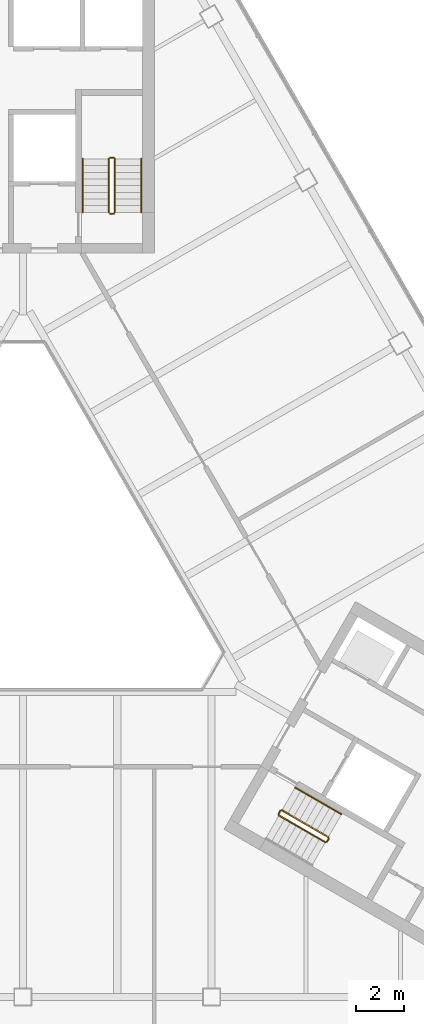
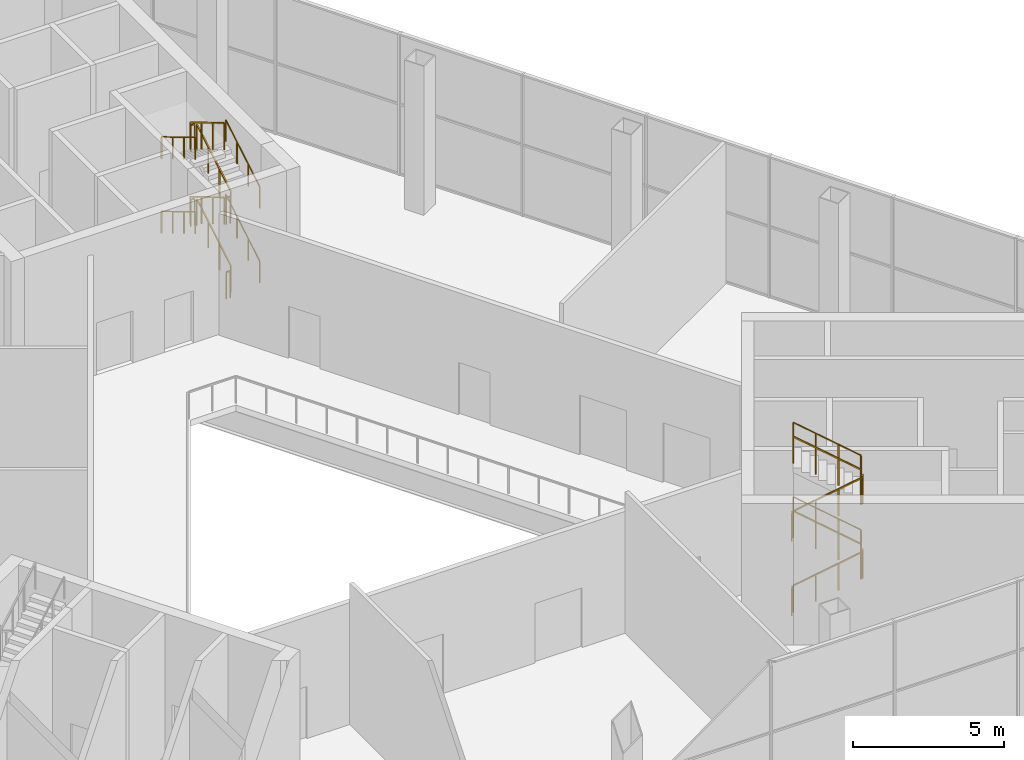
# One storey, part 13 of 14: 22 railings.
"""IFC4 building model written with IfcOpenShell, lengths in metres."""

import ifcopenshell
import ifcopenshell.guid

model = None  # the IFC model being written
_history = None  # IfcOwnerHistory: only IFC2X3 demands one
_inside = {}  # id of a spatial element -> (the spatial element, [elements in it])
_under = {}  # id of a project, library or spatial element -> (it, [spatial elements below it])
_declared = {}  # id of a project -> (the project, [libraries it declares])
_typed = {}  # id of a type object -> (the type object, [elements of that type])
_made_of = {}  # id of a material, layer set ... -> (it, [elements and type objects made of it])


def new_model(schema):
    """Start an empty IFC model of exactly this schema.

    Asked for "IFC4X3", IfcOpenShell would pick the latest addendum, in which some entities
    have other attributes; the version numbers below select the first issue.
    IFC2X3 requires an IfcOwnerHistory on every rooted entity: one is made here for all.
    """
    global model, _history
    if schema == "IFC4X3":
        model = ifcopenshell.file(schema_version=(4, 3, 0, 0))
    else:
        model = ifcopenshell.file(schema=schema)
    _inside.clear()
    _under.clear()
    _declared.clear()
    _typed.clear()
    _made_of.clear()
    _history = None
    if model.schema == "IFC2X3":
        org = make("IfcOrganization", Name="unknown")
        user = make(
            "IfcPersonAndOrganization",
            ThePerson=make("IfcPerson", FamilyName="unknown"),
            TheOrganization=org,
        )
        app = make(
            "IfcApplication",
            ApplicationDeveloper=org,
            Version="unknown",
            ApplicationFullName="unknown",
            ApplicationIdentifier="unknown",
        )
        _history = make(
            "IfcOwnerHistory",
            OwningUser=user,
            OwningApplication=app,
            ChangeAction="ADDED",
            CreationDate=0,
        )
    return model


def make(cls, **values):
    """One entity of the class cls with the attributes given. An attribute that is None is left unset."""
    return model.create_entity(
        cls, **{name: value for name, value in values.items() if value is not None}
    )


def rooted(cls, **values):
    """An entity with a GlobalId (a new one), such as an element, a storey or a relation."""
    return make(cls, GlobalId=ifcopenshell.guid.new(), OwnerHistory=_history, **values)


def si_unit(unit_type, name, prefix=None):
    """IfcSIUnit, for example si_unit("LENGTHUNIT", "METRE", prefix="MILLI")."""
    return make("IfcSIUnit", UnitType=unit_type, Prefix=prefix, Name=name)


def assignment(units):
    """IfcUnitAssignment: the units of a project."""
    return None if units is None else make("IfcUnitAssignment", Units=units)


def point(xyz):
    """IfcCartesianPoint."""
    return None if xyz is None else make("IfcCartesianPoint", Coordinates=xyz)


def direction(xyz):
    """IfcDirection."""
    return None if xyz is None else make("IfcDirection", DirectionRatios=xyz)


def frame(location, z_axis=None, x_axis=None):
    """IfcAxis2Placement3D, a coordinate frame: its origin and axes. An axis left out is left unset."""
    return make(
        "IfcAxis2Placement3D",
        Location=point(location),
        Axis=direction(z_axis),
        RefDirection=direction(x_axis),
    )


def frame_2d(location, x_axis=None):
    """IfcAxis2Placement2D, a coordinate frame in the plane: its origin and x axis."""
    return make(
        "IfcAxis2Placement2D", Location=point(location), RefDirection=direction(x_axis)
    )


def origin():
    """The frame at (0, 0, 0) with its axes left unset."""
    return frame((0.0, 0.0, 0.0))


def origin_2d():
    """The frame at (0, 0) in the plane with its x axis left unset."""
    return frame_2d((0.0, 0.0))


def place(relative_to, where):
    """IfcLocalPlacement: puts the frame where relative to a parent placement (None: the world)."""
    return make(
        "IfcLocalPlacement", PlacementRelTo=relative_to, RelativePlacement=where
    )


def context(
    kind, dimensions, precision=None, world=None, true_north=None, identifier=None
):
    """IfcGeometricRepresentationContext, for example the 3D "Model" context."""
    return make(
        "IfcGeometricRepresentationContext",
        ContextIdentifier=identifier,
        ContextType=kind,
        CoordinateSpaceDimension=dimensions,
        Precision=precision,
        WorldCoordinateSystem=world,
        TrueNorth=true_north,
    )


def subcontext(parent, identifier, kind, view, scale=None):
    """IfcGeometricRepresentationSubContext, for example "Body" below "Model"."""
    return make(
        "IfcGeometricRepresentationSubContext",
        ContextIdentifier=identifier,
        ContextType=kind,
        ParentContext=parent,
        TargetScale=scale,
        TargetView=view,
    )


def project(units=None, contexts=None):
    """IfcProject with its units and contexts."""
    return rooted(
        "IfcProject",
        Name="project",
        RepresentationContexts=contexts,
        UnitsInContext=assignment(units),
    )


def spatial(cls, under=None, at=None, **own):
    """A site, building, storey or space (cls), placed at a placement, below another one or the project."""
    s = rooted(cls, ObjectPlacement=at, **own)
    if under is not None:
        _under.setdefault(under.id(), (under, []))[1].append(s)
    return s


def profile(cls, at=None, kind="AREA", **sizes):
    """A parametric profile (cls). Its sizes go by their IFC names, for example OverallWidth=200.0."""
    return make(cls, ProfileType=kind, Position=at, **sizes)


def rectangle(**sizes):
    """IfcRectangleProfileDef."""
    return profile("IfcRectangleProfileDef", **sizes)


def circle(**sizes):
    """IfcCircleProfileDef."""
    return profile("IfcCircleProfileDef", **sizes)


def extrude(swept, where, along, depth):
    """IfcExtrudedAreaSolid: the profile swept, set in the frame where, extruded along a direction by depth."""
    return make(
        "IfcExtrudedAreaSolid",
        SweptArea=swept,
        Position=where,
        ExtrudedDirection=direction(along),
        Depth=depth,
    )


def shape(context_of_items, identifier, shape_type, items):
    """IfcShapeRepresentation: the items that make up one representation, for example the "Body"."""
    return make(
        "IfcShapeRepresentation",
        ContextOfItems=context_of_items,
        RepresentationIdentifier=identifier,
        RepresentationType=shape_type,
        Items=items,
    )


def material(Name=None, Category=None):
    """IfcMaterial."""
    return make("IfcMaterial", Name=Name, Category=Category)


def made_of(thing, what):
    """Note that an element or type object is made of a material, layer set ...; save() writes the relation."""
    if what is not None:
        _made_of.setdefault(what.id(), (what, []))[1].append(thing)
    return thing


def type_object(cls, material=None, **own):
    """A type object (cls), such as IfcWallType, which elements share."""
    return made_of(rooted(cls, **own), material)


def element(
    cls,
    number,
    at=None,
    inside=None,
    cuts=None,
    type_object=None,
    material=None,
    context=None,
    identifier="Body",
    shape_type=None,
    held_by="IfcProductDefinitionShape",
    body=None,
    shapes=None,
    **own,
):
    """One element of the class cls, such as IfcWall. Its Tag is "e" and its number.

    at: its placement. inside: the storey or other place that contains it. cuts: it is an
    opening in that element (IfcRelVoidsElement). A single representation is given by context,
    identifier, shape_type and body (its items); several are given by shapes. held_by: the class
    of the entity that holds the representations. save() writes the other relations.
    """
    e = rooted(cls, Tag="e%d" % number, ObjectPlacement=at, **own)
    if body is not None:
        shapes = [shape(context, identifier, shape_type, body)]
    if shapes is not None:
        e.Representation = make(held_by, Representations=shapes)
    if inside is not None:
        _inside.setdefault(inside.id(), (inside, []))[1].append(e)
    if cuts is not None:
        rooted(
            "IfcRelVoidsElement", RelatingBuildingElement=cuts, RelatedOpeningElement=e
        )
    if type_object is not None:
        _typed.setdefault(type_object.id(), (type_object, []))[1].append(e)
    return made_of(e, material)


def aggregate(whole, parts):
    """IfcRelAggregates: a whole, such as a stair, and the parts it consists of."""
    return rooted("IfcRelAggregates", RelatingObject=whole, RelatedObjects=parts)


def save(model, path):
    """Write the relations noted so far, then the file.

    IfcRelAggregates (storeys below a building ...), IfcRelContainedInSpatialStructure (elements
    in a storey), IfcRelDefinesByType, IfcRelAssociatesMaterial and IfcRelDeclares: one each for
    every whole, place, type object, material and project.
    """
    for whole, parts in _under.values():
        aggregate(whole, parts)
    for where, things in _inside.values():
        rooted(
            "IfcRelContainedInSpatialStructure",
            RelatedElements=things,
            RelatingStructure=where,
        )
    for kind, things in _typed.values():
        rooted("IfcRelDefinesByType", RelatedObjects=things, RelatingType=kind)
    for what, things in _made_of.values():
        rooted("IfcRelAssociatesMaterial", RelatedObjects=things, RelatingMaterial=what)
    for by, libraries in _declared.values():
        rooted("IfcRelDeclares", RelatingContext=by, RelatedDefinitions=libraries)
    model.write(path)


model = new_model("IFC4")

# Units and contexts
model_context = context("Model", 3, precision=1e-05, world=origin(), true_north=direction((0.0, 1.0)))
body_context = subcontext(model_context, "Body", "Model", "MODEL_VIEW")
ifc_project = project(units=[si_unit("LENGTHUNIT", "METRE"), si_unit("AREAUNIT", "SQUARE_METRE"), si_unit("VOLUMEUNIT", "CUBIC_METRE"), si_unit("PLANEANGLEUNIT", "RADIAN"), si_unit("MASSUNIT", "GRAM", prefix="KILO")], contexts=[model_context])

# Site, building, storey
site_placement = place(None, origin())
site = spatial("IfcSite", under=ifc_project, at=site_placement, CompositionType="ELEMENT")
building_placement = place(site_placement, origin())
building = spatial("IfcBuilding", under=site, at=building_placement, Name="Apuvela Tower Hotel", CompositionType="ELEMENT")
storey_placement = place(building_placement, frame((0.0, 0.0, 231.699951171875)))
storey = spatial("IfcBuildingStorey", under=building, at=storey_placement, Name="L57", CompositionType="ELEMENT", Elevation=231.699951171875)

# Railings
ifc_material_1 = material(Name="Steel S275 balustrade", Category="steel")
railing_type_1 = type_object("IfcRailingType", Name="COR-GUARD-1100", PredefinedType="GUARDRAIL", material=ifc_material_1)
railing_1_placement = place(storey_placement, frame((3.85009765625, 14.60009765625, 0.166748046875)))
element("IfcRailing", 1, at=railing_1_placement, inside=storey, type_object=railing_type_1, Name="L57 ST1 stair guard 1", PredefinedType="GUARDRAIL", context=body_context, shape_type="SweptSolid", body=[
    extrude(rectangle(XDim=0.048095703125, YDim=0.048095703125, at=origin_2d()), frame((0.0, 0.0, 1.076171875), z_axis=(0.0, 0.859305625298, 0.511462454469), x_axis=(-1.0, 0.0, 0.0)), (0.0, 0.0, 1.0), 2.606689453125),
    extrude(rectangle(XDim=0.0419921875, YDim=0.0419921875, at=origin_2d()), origin(), (0.0, 0.0, 1.0), 1.052001953125),
    extrude(rectangle(XDim=0.0419921875, YDim=0.0419921875, at=origin_2d()), frame((0.0, 0.74658203125, 0.4443359375)), (0.0, 0.0, 1.0), 1.052001953125),
    extrude(rectangle(XDim=0.0419921875, YDim=0.0419921875, at=origin_2d()), frame((0.0, 1.493408203125, 0.888916015625)), (0.0, 0.0, 1.0), 1.052001953125),
    extrude(rectangle(XDim=0.0419921875, YDim=0.0419921875, at=origin_2d()), frame((0.0, 2.239990234375, 1.333251953125)), (0.0, 0.0, 1.0), 1.052001953125),
])
railing_2_placement = place(storey_placement, frame((3.800048828125, 16.889892578125, 1.5)))
element("IfcRailing", 2, at=railing_2_placement, inside=storey, type_object=railing_type_1, Name="L57 ST1 stair guard 2", PredefinedType="GUARDRAIL", context=body_context, shape_type="SweptSolid", body=[
    extrude(rectangle(XDim=0.048095703125, YDim=0.048095703125, at=origin_2d()), frame((0.0, 0.0, 1.076171875), z_axis=(-1.0, 0.0, 0.0), x_axis=(0.0, -1.0, 0.0)), (0.0, 0.0, 1.0), 0.150146484375),
    extrude(rectangle(XDim=0.0419921875, YDim=0.0419921875, at=origin_2d()), origin(), (0.0, 0.0, 1.0), 1.052001953125),
    extrude(rectangle(XDim=0.0419921875, YDim=0.0419921875, at=origin_2d()), frame((-0.150146484375, 0.0, 0.0)), (0.0, 0.0, 1.0), 1.052001953125),
])
railing_3_placement = place(storey_placement, frame((3.60009765625, 16.840087890625, 1.666748046875)))
element("IfcRailing", 3, at=railing_3_placement, inside=storey, type_object=railing_type_1, Name="L57 ST1 stair guard 3", PredefinedType="GUARDRAIL", context=body_context, shape_type="SweptSolid", body=[
    extrude(rectangle(XDim=0.048095703125, YDim=0.048095703125, at=origin_2d()), frame((0.0, 0.0, 1.076171875), z_axis=(0.0, -0.859305625298, 0.511462454469), x_axis=(1.0, 0.0, 0.0)), (0.0, 0.0, 1.0), 2.606689453125),
    extrude(rectangle(XDim=0.0419921875, YDim=0.0419921875, at=origin_2d()), origin(), (0.0, 0.0, 1.0), 1.052001953125),
    extrude(rectangle(XDim=0.0419921875, YDim=0.0419921875, at=origin_2d()), frame((0.0, -0.74658203125, 0.4443359375)), (0.0, 0.0, 1.0), 1.052001953125),
    extrude(rectangle(XDim=0.0419921875, YDim=0.0419921875, at=origin_2d()), frame((0.0, -1.493408203125, 0.888916015625)), (0.0, 0.0, 1.0), 1.052001953125),
    extrude(rectangle(XDim=0.0419921875, YDim=0.0419921875, at=origin_2d()), frame((0.0, -2.239990234375, 1.333251953125)), (0.0, 0.0, 1.0), 1.052001953125),
])
railing_4_placement = place(storey_placement, frame((3.800048828125, 14.550048828125, 3.0)))
element("IfcRailing", 4, at=railing_4_placement, inside=storey, type_object=railing_type_1, Name="L57 ST1 stair guard 4", PredefinedType="GUARDRAIL", context=body_context, shape_type="SweptSolid", body=[
    extrude(rectangle(XDim=0.048095703125, YDim=0.048095703125, at=origin_2d()), frame((0.0, 0.0, 1.076171875), z_axis=(-1.0, 0.0, 0.0), x_axis=(0.0, -1.0, 0.0)), (0.0, 0.0, 1.0), 0.150146484375),
    extrude(rectangle(XDim=0.0419921875, YDim=0.0419921875, at=origin_2d()), origin(), (0.0, 0.0, 1.0), 1.052001953125),
    extrude(rectangle(XDim=0.0419921875, YDim=0.0419921875, at=origin_2d()), frame((-0.150146484375, 0.0, 0.0)), (0.0, 0.0, 1.0), 1.052001953125),
])
railing_5_placement = place(storey_placement, frame((3.85009765625, 14.60009765625, 3.166748046875)))
element("IfcRailing", 5, at=railing_5_placement, inside=storey, type_object=railing_type_1, Name="L57 ST1 stair guard 5", PredefinedType="GUARDRAIL", context=body_context, shape_type="SweptSolid", body=[
    extrude(rectangle(XDim=0.048095703125, YDim=0.048095703125, at=origin_2d()), frame((0.0, 0.0, 1.076171875), z_axis=(0.0, 0.859305625298, 0.511462454469), x_axis=(-1.0, 0.0, 0.0)), (0.0, 0.0, 1.0), 2.606689453125),
    extrude(rectangle(XDim=0.0419921875, YDim=0.0419921875, at=origin_2d()), origin(), (0.0, 0.0, 1.0), 1.052001953125),
    extrude(rectangle(XDim=0.0419921875, YDim=0.0419921875, at=origin_2d()), frame((0.0, 0.74658203125, 0.4443359375)), (0.0, 0.0, 1.0), 1.052001953125),
    extrude(rectangle(XDim=0.0419921875, YDim=0.0419921875, at=origin_2d()), frame((0.0, 1.493408203125, 0.888916015625)), (0.0, 0.0, 1.0), 1.052001953125),
    extrude(rectangle(XDim=0.0419921875, YDim=0.0419921875, at=origin_2d()), frame((0.0, 2.239990234375, 1.333251953125)), (0.0, 0.0, 1.0), 1.052001953125),
])
railing_6_placement = place(storey_placement, frame((3.800048828125, 16.889892578125, 4.5)))
element("IfcRailing", 6, at=railing_6_placement, inside=storey, type_object=railing_type_1, Name="L57 ST1 stair guard 6", PredefinedType="GUARDRAIL", context=body_context, shape_type="SweptSolid", body=[
    extrude(rectangle(XDim=0.048095703125, YDim=0.048095703125, at=origin_2d()), frame((0.0, 0.0, 1.076171875), z_axis=(-1.0, 0.0, 0.0), x_axis=(0.0, -1.0, 0.0)), (0.0, 0.0, 1.0), 0.150146484375),
    extrude(rectangle(XDim=0.0419921875, YDim=0.0419921875, at=origin_2d()), origin(), (0.0, 0.0, 1.0), 1.052001953125),
    extrude(rectangle(XDim=0.0419921875, YDim=0.0419921875, at=origin_2d()), frame((-0.150146484375, 0.0, 0.0)), (0.0, 0.0, 1.0), 1.052001953125),
])
railing_7_placement = place(storey_placement, frame((3.60009765625, 16.840087890625, 4.666748046875)))
element("IfcRailing", 7, at=railing_7_placement, inside=storey, type_object=railing_type_1, Name="L57 ST1 stair guard 7", PredefinedType="GUARDRAIL", context=body_context, shape_type="SweptSolid", body=[
    extrude(rectangle(XDim=0.048095703125, YDim=0.048095703125, at=origin_2d()), frame((0.0, 0.0, 1.076171875), z_axis=(0.0, -0.859305625298, 0.511462454469), x_axis=(1.0, 0.0, 0.0)), (0.0, 0.0, 1.0), 2.606689453125),
    extrude(rectangle(XDim=0.0419921875, YDim=0.0419921875, at=origin_2d()), origin(), (0.0, 0.0, 1.0), 1.052001953125),
    extrude(rectangle(XDim=0.0419921875, YDim=0.0419921875, at=origin_2d()), frame((0.0, -0.74658203125, 0.4443359375)), (0.0, 0.0, 1.0), 1.052001953125),
    extrude(rectangle(XDim=0.0419921875, YDim=0.0419921875, at=origin_2d()), frame((0.0, -1.493408203125, 0.888916015625)), (0.0, 0.0, 1.0), 1.052001953125),
    extrude(rectangle(XDim=0.0419921875, YDim=0.0419921875, at=origin_2d()), frame((0.0, -2.239990234375, 1.333251953125)), (0.0, 0.0, 1.0), 1.052001953125),
])
railing_8_placement = place(storey_placement, frame((3.800048828125, 14.550048828125, 0.0)))
element("IfcRailing", 8, at=railing_8_placement, inside=storey, type_object=railing_type_1, Name="L57 ST1 stair guard 8", PredefinedType="GUARDRAIL", context=body_context, shape_type="SweptSolid", body=[
    extrude(rectangle(XDim=0.048095703125, YDim=0.048095703125, at=origin_2d()), frame((0.0, 0.0, 1.076171875), z_axis=(-1.0, 0.0, 0.0), x_axis=(0.0, -1.0, 0.0)), (0.0, 0.0, 1.0), 0.150146484375),
    extrude(rectangle(XDim=0.0419921875, YDim=0.0419921875, at=origin_2d()), origin(), (0.0, 0.0, 1.0), 1.052001953125),
    extrude(rectangle(XDim=0.0419921875, YDim=0.0419921875, at=origin_2d()), frame((-0.150146484375, 0.0, 0.0)), (0.0, 0.0, 1.0), 1.052001953125),
])
railing_9_placement = place(storey_placement, frame((10.718994140625, -10.63427734375, 0.166748046875)))
element("IfcRailing", 9, at=railing_9_placement, inside=storey, type_object=railing_type_1, Name="L57 ST3 stair guard 1", PredefinedType="GUARDRAIL", context=body_context, shape_type="SweptSolid", body=[
    extrude(rectangle(XDim=0.048095703125, YDim=0.048095703125, at=origin_2d()), frame((0.0, 0.0, 1.076171875), z_axis=(0.744204538217, -0.429608131991, 0.51146501173), x_axis=(0.49994888933, 0.866054910533, 0.0)), (0.0, 0.0, 1.0), 2.606689453125),
    extrude(rectangle(XDim=0.0419921875, YDim=0.0419921875, at=origin_2d()), origin(), (0.0, 0.0, 1.0), 1.052001953125),
    extrude(rectangle(XDim=0.0419921875, YDim=0.0419921875, at=origin_2d()), frame((0.646728515625, -0.373291015625, 0.4443359375)), (0.0, 0.0, 1.0), 1.052001953125),
    extrude(rectangle(XDim=0.0419921875, YDim=0.0419921875, at=origin_2d()), frame((1.293212890625, -0.74658203125, 0.888916015625)), (0.0, 0.0, 1.0), 1.052001953125),
    extrude(rectangle(XDim=0.0419921875, YDim=0.0419921875, at=origin_2d()), frame((1.93994140625, -1.119873046875, 1.333251953125)), (0.0, 0.0, 1.0), 1.052001953125),
])
railing_10_placement = place(storey_placement, frame((12.72705078125, -11.73583984375, 1.5)))
element("IfcRailing", 10, at=railing_10_placement, inside=storey, type_object=railing_type_1, Name="L57 ST3 stair guard 2", PredefinedType="GUARDRAIL", context=body_context, shape_type="SweptSolid", body=[
    extrude(rectangle(XDim=0.048095703125, YDim=0.048095703125, at=origin_2d()), frame((0.0, 0.0, 1.076171875), z_axis=(0.501036270542, 0.865426285481, 0.0), x_axis=(-0.865426285481, 0.501036270542, 0.0)), (0.0, 0.0, 1.0), 0.150146484375),
    extrude(rectangle(XDim=0.0419921875, YDim=0.0419921875, at=origin_2d()), origin(), (0.0, 0.0, 1.0), 1.052001953125),
    extrude(rectangle(XDim=0.0419921875, YDim=0.0419921875, at=origin_2d()), frame((0.0751953125, 0.1298828125, 0.0)), (0.0, 0.0, 1.0), 1.052001953125),
])
railing_11_placement = place(storey_placement, frame((12.783935546875, -11.53759765625, 1.666748046875)))
element("IfcRailing", 11, at=railing_11_placement, inside=storey, type_object=railing_type_1, Name="L57 ST3 stair guard 3", PredefinedType="GUARDRAIL", context=body_context, shape_type="SweptSolid", body=[
    extrude(rectangle(XDim=0.048095703125, YDim=0.048095703125, at=origin_2d()), frame((0.0, 0.0, 1.076171875), z_axis=(-0.744204538217, 0.429608131991, 0.51146501173), x_axis=(-0.49994888933, -0.866054910533, 0.0)), (0.0, 0.0, 1.0), 2.606689453125),
    extrude(rectangle(XDim=0.0419921875, YDim=0.0419921875, at=origin_2d()), origin(), (0.0, 0.0, 1.0), 1.052001953125),
    extrude(rectangle(XDim=0.0419921875, YDim=0.0419921875, at=origin_2d()), frame((-0.646728515625, 0.373291015625, 0.4443359375)), (0.0, 0.0, 1.0), 1.052001953125),
    extrude(rectangle(XDim=0.0419921875, YDim=0.0419921875, at=origin_2d()), frame((-1.293212890625, 0.74658203125, 0.888916015625)), (0.0, 0.0, 1.0), 1.052001953125),
    extrude(rectangle(XDim=0.0419921875, YDim=0.0419921875, at=origin_2d()), frame((-1.93994140625, 1.119873046875, 1.333251953125)), (0.0, 0.0, 1.0), 1.052001953125),
])
railing_12_placement = place(storey_placement, frame((10.70068359375, -10.56591796875, 3.0)))
element("IfcRailing", 12, at=railing_12_placement, inside=storey, type_object=railing_type_1, Name="L57 ST3 stair guard 4", PredefinedType="GUARDRAIL", context=body_context, shape_type="SweptSolid", body=[
    extrude(rectangle(XDim=0.048095703125, YDim=0.048095703125, at=origin_2d()), frame((0.0, 0.0, 1.076171875), z_axis=(0.499816412211, 0.866131372301, 0.0), x_axis=(-0.866131372301, 0.499816412211, 0.0)), (0.0, 0.0, 1.0), 0.14990234375),
    extrude(rectangle(XDim=0.0419921875, YDim=0.0419921875, at=origin_2d()), origin(), (0.0, 0.0, 1.0), 1.052001953125),
    extrude(rectangle(XDim=0.0419921875, YDim=0.0419921875, at=origin_2d()), frame((0.074951171875, 0.1298828125, 0.0)), (0.0, 0.0, 1.0), 1.052001953125),
])
railing_13_placement = place(storey_placement, frame((10.718994140625, -10.63427734375, 3.166748046875)))
element("IfcRailing", 13, at=railing_13_placement, inside=storey, type_object=railing_type_1, Name="L57 ST3 stair guard 5", PredefinedType="GUARDRAIL", context=body_context, shape_type="SweptSolid", body=[
    extrude(rectangle(XDim=0.048095703125, YDim=0.048095703125, at=origin_2d()), frame((0.0, 0.0, 1.076171875), z_axis=(0.744204538217, -0.429608131991, 0.51146501173), x_axis=(0.49994888933, 0.866054910533, 0.0)), (0.0, 0.0, 1.0), 2.606689453125),
    extrude(rectangle(XDim=0.0419921875, YDim=0.0419921875, at=origin_2d()), origin(), (0.0, 0.0, 1.0), 1.052001953125),
    extrude(rectangle(XDim=0.0419921875, YDim=0.0419921875, at=origin_2d()), frame((0.646728515625, -0.373291015625, 0.4443359375)), (0.0, 0.0, 1.0), 1.052001953125),
    extrude(rectangle(XDim=0.0419921875, YDim=0.0419921875, at=origin_2d()), frame((1.293212890625, -0.74658203125, 0.888916015625)), (0.0, 0.0, 1.0), 1.052001953125),
    extrude(rectangle(XDim=0.0419921875, YDim=0.0419921875, at=origin_2d()), frame((1.93994140625, -1.119873046875, 1.333251953125)), (0.0, 0.0, 1.0), 1.052001953125),
])
railing_14_placement = place(storey_placement, frame((12.72705078125, -11.73583984375, 4.5)))
element("IfcRailing", 14, at=railing_14_placement, inside=storey, type_object=railing_type_1, Name="L57 ST3 stair guard 6", PredefinedType="GUARDRAIL", context=body_context, shape_type="SweptSolid", body=[
    extrude(rectangle(XDim=0.048095703125, YDim=0.048095703125, at=origin_2d()), frame((0.0, 0.0, 1.076171875), z_axis=(0.501036270542, 0.865426285481, 0.0), x_axis=(-0.865426285481, 0.501036270542, 0.0)), (0.0, 0.0, 1.0), 0.150146484375),
    extrude(rectangle(XDim=0.0419921875, YDim=0.0419921875, at=origin_2d()), origin(), (0.0, 0.0, 1.0), 1.052001953125),
    extrude(rectangle(XDim=0.0419921875, YDim=0.0419921875, at=origin_2d()), frame((0.0751953125, 0.1298828125, 0.0)), (0.0, 0.0, 1.0), 1.052001953125),
])
railing_15_placement = place(storey_placement, frame((12.783935546875, -11.53759765625, 4.666748046875)))
element("IfcRailing", 15, at=railing_15_placement, inside=storey, type_object=railing_type_1, Name="L57 ST3 stair guard 7", PredefinedType="GUARDRAIL", context=body_context, shape_type="SweptSolid", body=[
    extrude(rectangle(XDim=0.048095703125, YDim=0.048095703125, at=origin_2d()), frame((0.0, 0.0, 1.076171875), z_axis=(-0.744204538217, 0.429608131991, 0.51146501173), x_axis=(-0.49994888933, -0.866054910533, 0.0)), (0.0, 0.0, 1.0), 2.606689453125),
    extrude(rectangle(XDim=0.0419921875, YDim=0.0419921875, at=origin_2d()), origin(), (0.0, 0.0, 1.0), 1.052001953125),
    extrude(rectangle(XDim=0.0419921875, YDim=0.0419921875, at=origin_2d()), frame((-0.646728515625, 0.373291015625, 0.4443359375)), (0.0, 0.0, 1.0), 1.052001953125),
    extrude(rectangle(XDim=0.0419921875, YDim=0.0419921875, at=origin_2d()), frame((-1.293212890625, 0.74658203125, 0.888916015625)), (0.0, 0.0, 1.0), 1.052001953125),
    extrude(rectangle(XDim=0.0419921875, YDim=0.0419921875, at=origin_2d()), frame((-1.93994140625, 1.119873046875, 1.333251953125)), (0.0, 0.0, 1.0), 1.052001953125),
])
railing_16_placement = place(storey_placement, frame((10.70068359375, -10.56591796875, 0.0)))
element("IfcRailing", 16, at=railing_16_placement, inside=storey, type_object=railing_type_1, Name="L57 ST3 stair guard 8", PredefinedType="GUARDRAIL", context=body_context, shape_type="SweptSolid", body=[
    extrude(rectangle(XDim=0.048095703125, YDim=0.048095703125, at=origin_2d()), frame((0.0, 0.0, 1.076171875), z_axis=(0.499816412211, 0.866131372301, 0.0), x_axis=(-0.866131372301, 0.499816412211, 0.0)), (0.0, 0.0, 1.0), 0.14990234375),
    extrude(rectangle(XDim=0.0419921875, YDim=0.0419921875, at=origin_2d()), origin(), (0.0, 0.0, 1.0), 1.052001953125),
    extrude(rectangle(XDim=0.0419921875, YDim=0.0419921875, at=origin_2d()), frame((0.074951171875, 0.1298828125, 0.0)), (0.0, 0.0, 1.0), 1.052001953125),
])
ifc_material_2 = material(Name="Stainless steel 316 handrail", Category="steel")
railing_type_2 = type_object("IfcRailingType", Name="COR-HANDRAIL-900", PredefinedType="HANDRAIL", material=ifc_material_2)
railing_17_placement = place(storey_placement, frame((4.949951171875, 14.60009765625, 0.166748046875)))
element("IfcRailing", 17, at=railing_17_placement, inside=storey, type_object=railing_type_2, Name="L57 ST1 stair handrail 1", PredefinedType="HANDRAIL", context=body_context, shape_type="SweptSolid", body=[
    extrude(circle(Radius=0.02392578125, at=origin_2d()), frame((0.0, 0.0, 0.8759765625), z_axis=(0.0, 0.859305625298, 0.511462454469), x_axis=(-1.0, 0.0, 0.0)), (0.0, 0.0, 1.0), 2.606689453125),
    extrude(rectangle(XDim=0.0419921875, YDim=0.0419921875, at=origin_2d()), origin(), (0.0, 0.0, 1.0), 0.851806640625),
    extrude(rectangle(XDim=0.0419921875, YDim=0.0419921875, at=origin_2d()), frame((0.0, 0.74658203125, 0.4443359375)), (0.0, 0.0, 1.0), 0.851806640625),
    extrude(rectangle(XDim=0.0419921875, YDim=0.0419921875, at=origin_2d()), frame((0.0, 1.493408203125, 0.888916015625)), (0.0, 0.0, 1.0), 0.851806640625),
    extrude(rectangle(XDim=0.0419921875, YDim=0.0419921875, at=origin_2d()), frame((0.0, 2.239990234375, 1.333251953125)), (0.0, 0.0, 1.0), 0.851806640625),
])
railing_18_placement = place(storey_placement, frame((2.5, 16.840087890625, 1.666748046875)))
element("IfcRailing", 18, at=railing_18_placement, inside=storey, type_object=railing_type_2, Name="L57 ST1 stair handrail 2", PredefinedType="HANDRAIL", context=body_context, shape_type="SweptSolid", body=[
    extrude(circle(Radius=0.02392578125, at=origin_2d()), frame((0.0, 0.0, 0.8759765625), z_axis=(0.0, -0.859305625298, 0.511462454469), x_axis=(1.0, 0.0, 0.0)), (0.0, 0.0, 1.0), 2.606689453125),
    extrude(rectangle(XDim=0.0419921875, YDim=0.0419921875, at=origin_2d()), origin(), (0.0, 0.0, 1.0), 0.851806640625),
    extrude(rectangle(XDim=0.0419921875, YDim=0.0419921875, at=origin_2d()), frame((0.0, -0.74658203125, 0.4443359375)), (0.0, 0.0, 1.0), 0.851806640625),
    extrude(rectangle(XDim=0.0419921875, YDim=0.0419921875, at=origin_2d()), frame((0.0, -1.493408203125, 0.888916015625)), (0.0, 0.0, 1.0), 0.851806640625),
    extrude(rectangle(XDim=0.0419921875, YDim=0.0419921875, at=origin_2d()), frame((0.0, -2.239990234375, 1.333251953125)), (0.0, 0.0, 1.0), 0.851806640625),
])
railing_19_placement = place(storey_placement, frame((4.949951171875, 14.60009765625, 3.166748046875)))
element("IfcRailing", 19, at=railing_19_placement, inside=storey, type_object=railing_type_2, Name="L57 ST1 stair handrail 3", PredefinedType="HANDRAIL", context=body_context, shape_type="SweptSolid", body=[
    extrude(circle(Radius=0.02392578125, at=origin_2d()), frame((0.0, 0.0, 0.8759765625), z_axis=(0.0, 0.859305625298, 0.511462454469), x_axis=(-1.0, 0.0, 0.0)), (0.0, 0.0, 1.0), 2.606689453125),
    extrude(rectangle(XDim=0.0419921875, YDim=0.0419921875, at=origin_2d()), origin(), (0.0, 0.0, 1.0), 0.851806640625),
    extrude(rectangle(XDim=0.0419921875, YDim=0.0419921875, at=origin_2d()), frame((0.0, 0.74658203125, 0.4443359375)), (0.0, 0.0, 1.0), 0.851806640625),
    extrude(rectangle(XDim=0.0419921875, YDim=0.0419921875, at=origin_2d()), frame((0.0, 1.493408203125, 0.888916015625)), (0.0, 0.0, 1.0), 0.851806640625),
    extrude(rectangle(XDim=0.0419921875, YDim=0.0419921875, at=origin_2d()), frame((0.0, 2.239990234375, 1.333251953125)), (0.0, 0.0, 1.0), 0.851806640625),
])
railing_20_placement = place(storey_placement, frame((2.5, 16.840087890625, 4.666748046875)))
element("IfcRailing", 20, at=railing_20_placement, inside=storey, type_object=railing_type_2, Name="L57 ST1 stair handrail 4", PredefinedType="HANDRAIL", context=body_context, shape_type="SweptSolid", body=[
    extrude(circle(Radius=0.02392578125, at=origin_2d()), frame((0.0, 0.0, 0.8759765625), z_axis=(0.0, -0.859305625298, 0.511462454469), x_axis=(1.0, 0.0, 0.0)), (0.0, 0.0, 1.0), 2.606689453125),
    extrude(rectangle(XDim=0.0419921875, YDim=0.0419921875, at=origin_2d()), origin(), (0.0, 0.0, 1.0), 0.851806640625),
    extrude(rectangle(XDim=0.0419921875, YDim=0.0419921875, at=origin_2d()), frame((0.0, -0.74658203125, 0.4443359375)), (0.0, 0.0, 1.0), 0.851806640625),
    extrude(rectangle(XDim=0.0419921875, YDim=0.0419921875, at=origin_2d()), frame((0.0, -1.493408203125, 0.888916015625)), (0.0, 0.0, 1.0), 0.851806640625),
    extrude(rectangle(XDim=0.0419921875, YDim=0.0419921875, at=origin_2d()), frame((0.0, -2.239990234375, 1.333251953125)), (0.0, 0.0, 1.0), 0.851806640625),
])
for number, where, name in (
    (21, (13.333984375, -10.5849609375, 1.666748046875), "L57 ST3 stair handrail 2"),
    (22, (13.333984375, -10.5849609375, 4.666748046875), "L57 ST3 stair handrail 4"),
):
    element("IfcRailing", number, at=place(storey_placement, frame(where)), inside=storey, type_object=railing_type_2, Name=name, PredefinedType="HANDRAIL", context=body_context, shape_type="SweptSolid", body=[
        extrude(circle(Radius=0.02392578125, at=origin_2d()), frame((0.0, 0.0, 0.8759765625), z_axis=(-0.744204538217, 0.429608131991, 0.51146501173), x_axis=(-0.49994888933, -0.866054910533, 0.0)), (0.0, 0.0, 1.0), 2.606689453125),
        extrude(rectangle(XDim=0.0419921875, YDim=0.0419921875, at=origin_2d()), origin(), (0.0, 0.0, 1.0), 0.851806640625),
        extrude(rectangle(XDim=0.0419921875, YDim=0.0419921875, at=origin_2d()), frame((-0.646728515625, 0.373291015625, 0.4443359375)), (0.0, 0.0, 1.0), 0.851806640625),
        extrude(rectangle(XDim=0.0419921875, YDim=0.0419921875, at=origin_2d()), frame((-1.293212890625, 0.74658203125, 0.888916015625)), (0.0, 0.0, 1.0), 0.851806640625),
        extrude(rectangle(XDim=0.0419921875, YDim=0.0419921875, at=origin_2d()), frame((-1.93994140625, 1.119873046875, 1.333251953125)), (0.0, 0.0, 1.0), 0.851806640625),
    ])

save(model, "model.ifc")
